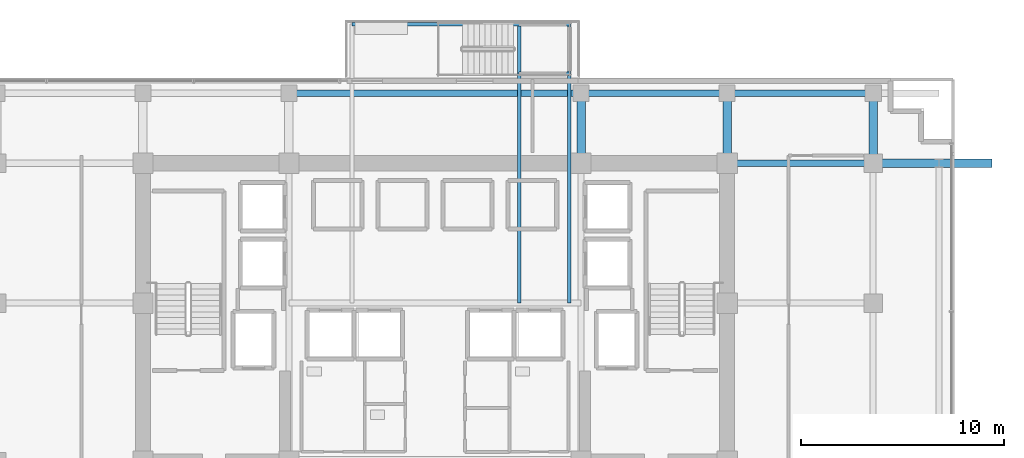
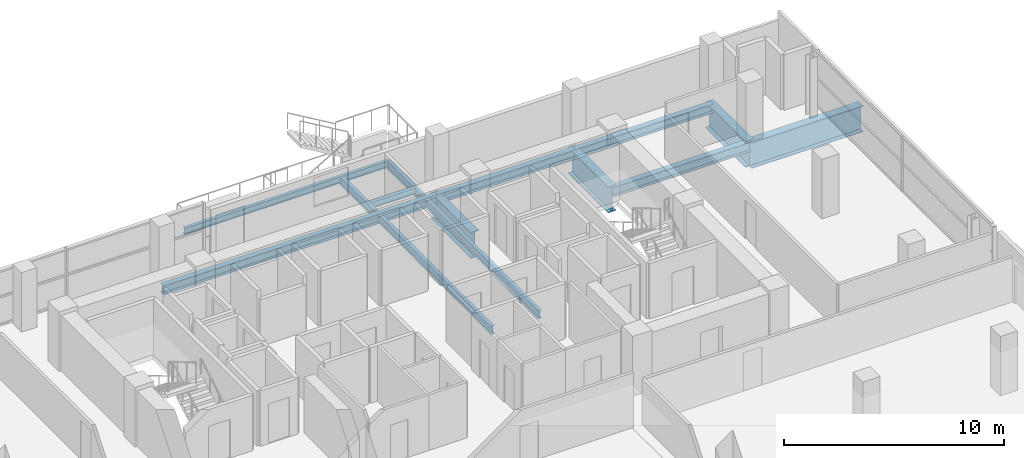
# One storey, part 16 of 27: 12 beams.
"""IFC4 building model written with IfcOpenShell, lengths in metres."""

from ifc_helpers import new_model, si_unit, direction, frame, origin, origin_2d, place, context, subcontext, project, spatial, i_section, extrude, material, material_profile, profile_set, type_object, element, save


model = new_model("IFC4")

# Units and contexts
model_context = context("Model", 3, precision=1e-05, world=origin(), true_north=direction((0.0, 1.0)))
body_context = subcontext(model_context, "Body", "Model", "MODEL_VIEW")
ifc_project = project(units=[si_unit("LENGTHUNIT", "METRE"), si_unit("AREAUNIT", "SQUARE_METRE"), si_unit("VOLUMEUNIT", "CUBIC_METRE"), si_unit("PLANEANGLEUNIT", "RADIAN"), si_unit("MASSUNIT", "GRAM", prefix="KILO")], contexts=[model_context])

# Site, building, storey
site_placement = place(None, origin())
site = spatial("IfcSite", under=ifc_project, at=site_placement, CompositionType="ELEMENT")
building_placement = place(site_placement, origin())
building = spatial("IfcBuilding", under=site, at=building_placement, Name="Zarnakvel Exchange Tower", CompositionType="ELEMENT")
storey_placement = place(building_placement, frame((0.0, 0.0, 86.800048828125)))
storey = spatial("IfcBuildingStorey", under=building, at=storey_placement, Name="L23", CompositionType="ELEMENT", Elevation=86.800048828125)

# Beams
ifc_material_1 = material(Name="Steel S355", Category="steel")
ifc_material_profile_1 = material_profile(ifc_material_1, i_section(OverallWidth=0.18994140625, OverallDepth=0.449951171875, WebThickness=0.009521484375, FlangeThickness=0.0146484375, FilletRadius=0.02099609375, at=origin_2d()))
ifc_profile_set_1 = profile_set([ifc_material_profile_1], Name="Steel S355")
beam_type_1 = type_object("IfcBeamType", Name="B-05", PredefinedType="JOIST", material=ifc_profile_set_1)
for number, where, z_axis, x_axis, name in (
    (1, (6.6201171875, 6.60009765625, -0.47509765625), (0.0, 1.0, 0.0), (-1.0, 0.0, 0.0), "L23 Continuous North Spiral Terrace Beam E"),
    (2, (4.14990234375, 6.60009765625, -0.47509765625), (0.0, 1.0, 0.0), (-1.0, 0.0, 0.0), "L23 Terrace Stair Plinth Beam W"),
):
    element("IfcBeam", number, at=place(storey_placement, frame(where, z_axis=z_axis, x_axis=x_axis)), inside=storey, type_object=beam_type_1, Name=name, PredefinedType="JOIST", context=body_context, shape_type="SweptSolid", body=[
        extrude(i_section(OverallWidth=0.18994140625, OverallDepth=0.449951171875, WebThickness=0.009521484375, FlangeThickness=0.0146484375, FilletRadius=0.02099609375, at=origin_2d()), origin(), (0.0, 0.0, 1.0), 13.760009765625),
    ])
ifc_material_profile_2 = material_profile(ifc_material_1, i_section(OverallWidth=0.169921875, OverallDepth=0.360107421875, WebThickness=0.008056640625, FlangeThickness=0.0126953125, FilletRadius=0.01806640625, at=origin_2d()))
ifc_profile_set_2 = profile_set([ifc_material_profile_2], Name="Steel S355")
beam_type_2 = type_object("IfcBeamType", Name="B-07", PredefinedType="JOIST", material=ifc_profile_set_2)
beam_1_placement = place(storey_placement, frame((-4.10009765625, 20.360107421875, -0.429931640625), z_axis=(1.0, 0.0, 0.0), x_axis=(0.0, 1.0, 0.0)))
element("IfcBeam", 3, at=beam_1_placement, inside=storey, type_object=beam_type_2, Name="L23 Spiral Terrace Edge Beam", PredefinedType="JOIST", context=body_context, shape_type="SweptSolid", body=[
    extrude(i_section(OverallWidth=0.169921875, OverallDepth=0.360107421875, WebThickness=0.008056640625, FlangeThickness=0.0126953125, FilletRadius=0.01806640625, at=origin_2d()), origin(), (0.0, 0.0, 1.0), 10.72021484375),
])
beam_2_placement = place(storey_placement, frame((4.14990234375, 17.89990234375, -0.429931640625), z_axis=(1.0, 0.0, 0.0), x_axis=(0.0, 1.0, 0.0)))
element("IfcBeam", 4, at=beam_2_placement, inside=storey, type_object=beam_type_2, Name="L23 Terrace Stair Plinth Inner Beam", PredefinedType="JOIST", context=body_context, shape_type="SweptSolid", body=[
    extrude(i_section(OverallWidth=0.169921875, OverallDepth=0.360107421875, WebThickness=0.008056640625, FlangeThickness=0.0126953125, FilletRadius=0.01806640625, at=origin_2d()), origin(), (0.0, 0.0, 1.0), 2.47021484375),
])
ifc_material_profile_3 = material_profile(ifc_material_1, i_section(OverallWidth=0.300048828125, OverallDepth=0.550048828125, WebThickness=0.014892578125, FlangeThickness=0.029052734375, FilletRadius=0.027099609375, at=origin_2d()))
ifc_profile_set_3 = profile_set([ifc_material_profile_3], Name="Steel S355")
beam_type_3 = type_object("IfcBeamType", Name="G-05", PredefinedType="BEAM", material=ifc_profile_set_3)
beam_3_placement = place(storey_placement, frame((14.39990234375, 13.5, -0.525146484375), z_axis=(1.0, 0.0, 0.0), x_axis=(0.0, 1.0, 0.0)))
element("IfcBeam", 5, at=beam_3_placement, inside=storey, type_object=beam_type_3, Name="L23 Tower E-W Frame Beam", PredefinedType="BEAM", context=body_context, shape_type="SweptSolid", body=[
    extrude(i_section(OverallWidth=0.300048828125, OverallDepth=0.550048828125, WebThickness=0.014892578125, FlangeThickness=0.029052734375, FilletRadius=0.027099609375, at=origin_2d()), origin(), (0.0, 0.0, 1.0), 7.2001953125),
])
ifc_material_profile_4 = material_profile(ifc_material_1, i_section(OverallWidth=0.300048828125, OverallDepth=0.5, WebThickness=0.014404296875, FlangeThickness=0.028076171875, FilletRadius=0.027099609375, at=origin_2d()))
ifc_profile_set_4 = profile_set([ifc_material_profile_4], Name="Steel S355")
beam_type_4 = type_object("IfcBeamType", Name="SP-02", PredefinedType="SPANDREL", material=ifc_profile_set_4)
beam_4_placement = place(storey_placement, frame((-7.199951171875, 16.949951171875, -0.5), z_axis=(1.0, 0.0, 0.0), x_axis=(0.0, 1.0, 0.0)))
element("IfcBeam", 6, at=beam_4_placement, inside=storey, type_object=beam_type_4, Name="L23 Tower E-W Frame Beam", PredefinedType="SPANDREL", context=body_context, shape_type="SweptSolid", body=[
    extrude(i_section(OverallWidth=0.300048828125, OverallDepth=0.5, WebThickness=0.014404296875, FlangeThickness=0.028076171875, FilletRadius=0.027099609375, at=origin_2d()), origin(), (0.0, 0.0, 1.0), 14.39990234375),
])
beam_5_placement = place(storey_placement, frame((7.199951171875, 16.949951171875, -0.5), z_axis=(1.0, 0.0, 0.0), x_axis=(0.0, 1.0, 0.0)))
element("IfcBeam", 7, at=beam_5_placement, inside=storey, type_object=beam_type_4, Name="L23 Tower E-W Frame Beam", PredefinedType="SPANDREL", context=body_context, shape_type="SweptSolid", body=[
    extrude(i_section(OverallWidth=0.300048828125, OverallDepth=0.5, WebThickness=0.014404296875, FlangeThickness=0.028076171875, FilletRadius=0.027099609375, at=origin_2d()), origin(), (0.0, 0.0, 1.0), 7.199951171875),
])
beam_6_placement = place(storey_placement, frame((14.39990234375, 16.949951171875, -0.5), z_axis=(1.0, 0.0, 0.0), x_axis=(0.0, 1.0, 0.0)))
element("IfcBeam", 8, at=beam_6_placement, inside=storey, type_object=beam_type_4, Name="L23 Tower E-W Frame Beam", PredefinedType="SPANDREL", context=body_context, shape_type="SweptSolid", body=[
    extrude(i_section(OverallWidth=0.300048828125, OverallDepth=0.5, WebThickness=0.014404296875, FlangeThickness=0.028076171875, FilletRadius=0.027099609375, at=origin_2d()), origin(), (0.0, 0.0, 1.0), 7.2001953125),
])
ifc_material_2 = material(Name="Steel S460", Category="steel")
ifc_material_profile_5 = material_profile(ifc_material_2, i_section(OverallWidth=0.419921875, OverallDepth=1.449951171875, WebThickness=0.02392578125, FlangeThickness=0.0400390625, FilletRadius=0.030029296875, at=origin_2d()))
ifc_profile_set_5 = profile_set([ifc_material_profile_5], Name="Steel S460")
beam_type_5 = type_object("IfcBeamType", Name="TG-01", PredefinedType="BEAM", material=ifc_profile_set_5)
for number, where, z_axis, x_axis, name in (
    (9, (7.199951171875, 13.5, -0.97509765625), (0.0, 1.0, 0.0), (-1.0, 0.0, 0.0), "L23 Setback N-S Transfer Girder TN-8"),
    (10, (14.39990234375, 13.5, -0.97509765625), (0.0, 1.0, 0.0), (-1.0, 0.0, 0.0), "L23 Setback N-S Transfer Girder TN-9"),
    (11, (21.60009765625, 13.5, -0.97509765625), (0.0, 1.0, 0.0), (-1.0, 0.0, 0.0), "L23 Setback N-S Transfer Girder TN-10"),
):
    element("IfcBeam", number, at=place(storey_placement, frame(where, z_axis=z_axis, x_axis=x_axis)), inside=storey, type_object=beam_type_5, Name=name, PredefinedType="BEAM", context=body_context, shape_type="SweptSolid", body=[
        extrude(i_section(OverallWidth=0.419921875, OverallDepth=1.449951171875, WebThickness=0.02392578125, FlangeThickness=0.0400390625, FilletRadius=0.030029296875, at=origin_2d()), origin(), (0.0, 0.0, 1.0), 3.64990234375),
    ])
beam_7_placement = place(storey_placement, frame((21.60009765625, 13.5, -0.97509765625), z_axis=(1.0, 0.0, 0.0), x_axis=(0.0, 1.0, 0.0)))
element("IfcBeam", 12, at=beam_7_placement, inside=storey, type_object=beam_type_5, Name="L23 Setback E-W Transfer Girder TE-F", PredefinedType="BEAM", context=body_context, shape_type="SweptSolid", body=[
    extrude(i_section(OverallWidth=0.419921875, OverallDepth=1.449951171875, WebThickness=0.02392578125, FlangeThickness=0.0400390625, FilletRadius=0.030029296875, at=origin_2d()), origin(), (0.0, 0.0, 1.0), 5.849853515625),
])

save(model, "model.ifc")
